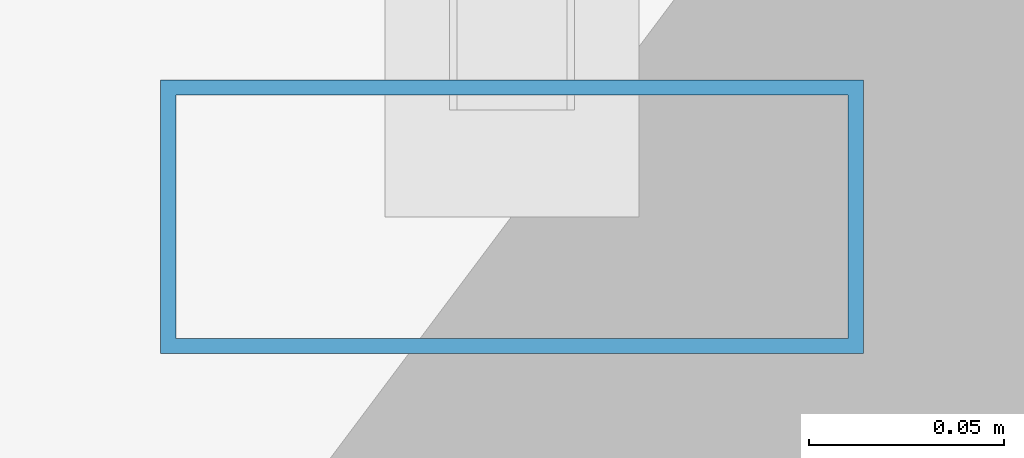
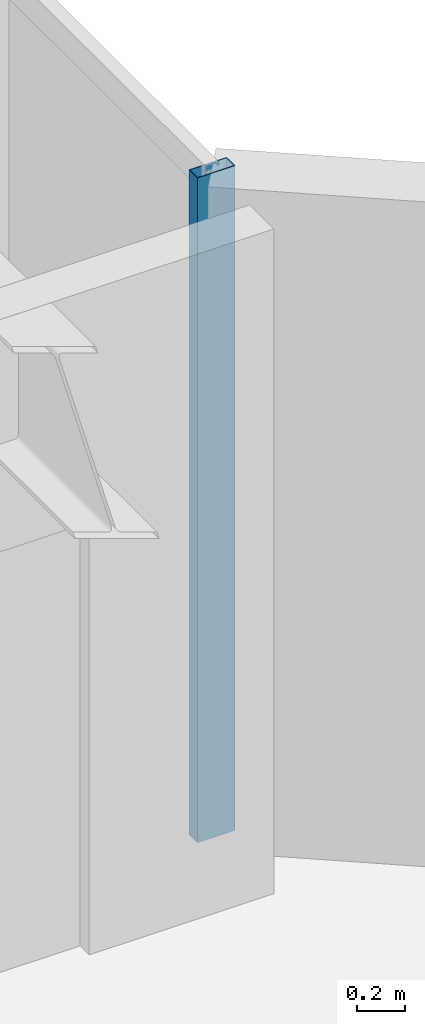
# One storey, part 15 of 28: 1 member, 1 element without a shape of its own.
"""IFC4 building model written with IfcOpenShell, lengths in metres."""

from ifc_helpers import new_model, si_unit, direction, frame, origin, origin_2d, place, context, subcontext, project, spatial, hollow_rectangle, extrude, material, layer, layer_set, material_profile, profile_set, type_object, element, aggregate, save


model = new_model("IFC4")

# Units and contexts
model_context = context("Model", 3, precision=1e-05, world=origin(), true_north=direction((0.0, 1.0)))
body_context = subcontext(model_context, "Body", "Model", "MODEL_VIEW")
ifc_project = project(units=[si_unit("LENGTHUNIT", "METRE"), si_unit("AREAUNIT", "SQUARE_METRE"), si_unit("VOLUMEUNIT", "CUBIC_METRE"), si_unit("PLANEANGLEUNIT", "RADIAN"), si_unit("MASSUNIT", "GRAM", prefix="KILO")], contexts=[model_context])

# Site, building, storey
site_placement = place(None, origin())
site = spatial("IfcSite", under=ifc_project, at=site_placement, CompositionType="ELEMENT")
building_placement = place(site_placement, origin())
building = spatial("IfcBuilding", under=site, at=building_placement, Name="Hatsunagi Terrace Concourse", CompositionType="ELEMENT")
storey_placement = place(building_placement, frame((0.0, 0.0, 170.85009765625)))
storey = spatial("IfcBuildingStorey", under=building, at=storey_placement, Name="L45", CompositionType="ELEMENT", Elevation=170.85009765625)

# Curtain wall, member
ifc_material_1 = material(Name="Anodised Aluminium Alloy 6063-T5", Category="aluminium")
ifc_layer = layer(ifc_material_1, 0.199951171875)
ifc_layer_set = layer_set([ifc_layer], Name="OfficeZone1_CW03")
curtain_wall_type = type_object("IfcCurtainWallType", Name="OfficeZone1_CW03", PredefinedType="NOTDEFINED", material=ifc_layer_set)
curtain_wall_placement = place(storey_placement, origin())
curtain_wall = element("IfcCurtainWall", 1, at=curtain_wall_placement, inside=storey, type_object=curtain_wall_type, Name="Unitised Curtain Wall CW-03 CW-L45-13", PredefinedType="NOTDEFINED")
ifc_material_2 = material(Name="Anodised Aluminium Alloy 6063-T5", Category="aluminium")
ifc_material_profile = material_profile(ifc_material_2, hollow_rectangle(XDim=0.070068359375, YDim=0.179931640625, WallThickness=0.00390625, at=origin_2d()), Name="ALU-MUL-180x70x4")
ifc_profile_set = profile_set([ifc_material_profile], Name="Anodised Aluminium Alloy 6063-T5")
member_type = type_object("IfcMemberType", Name="CurtainWallMullion_180x70", PredefinedType="MULLION", material=ifc_profile_set)
member_placement = place(storey_placement, frame((44.860107421875, 40.72998046875, 0.0), z_axis=(0.0, 0.0, 1.0), x_axis=(0.0, -1.0, 0.0)))
member = element("IfcMember", 2, at=member_placement, type_object=member_type, Name="Curtain Wall Mullion MUL-02", PredefinedType="MULLION", context=body_context, shape_type="SweptSolid", body=[
    extrude(hollow_rectangle(XDim=0.070068359375, YDim=0.179931640625, WallThickness=0.00390625, at=origin_2d()), origin(), (0.0, 0.0, 1.0), 3.349853515625),
])
aggregate(curtain_wall, [member])

save(model, "model.ifc")
